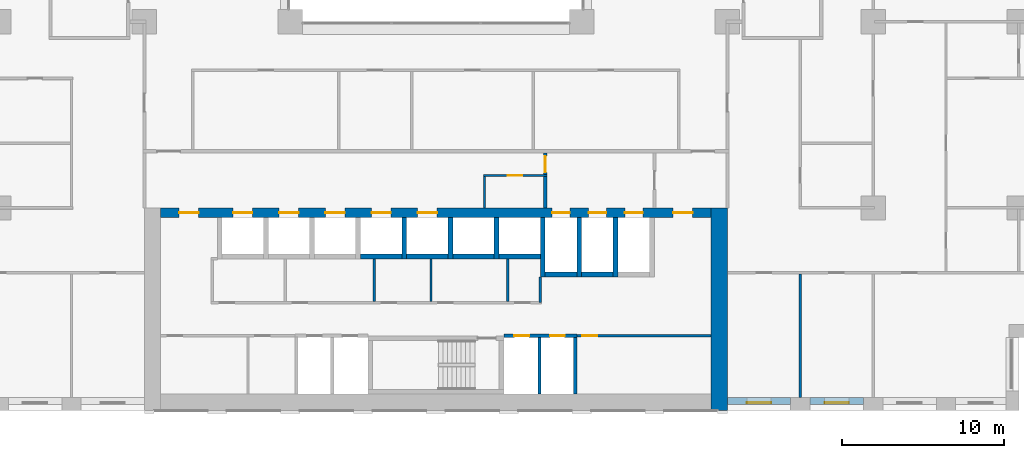
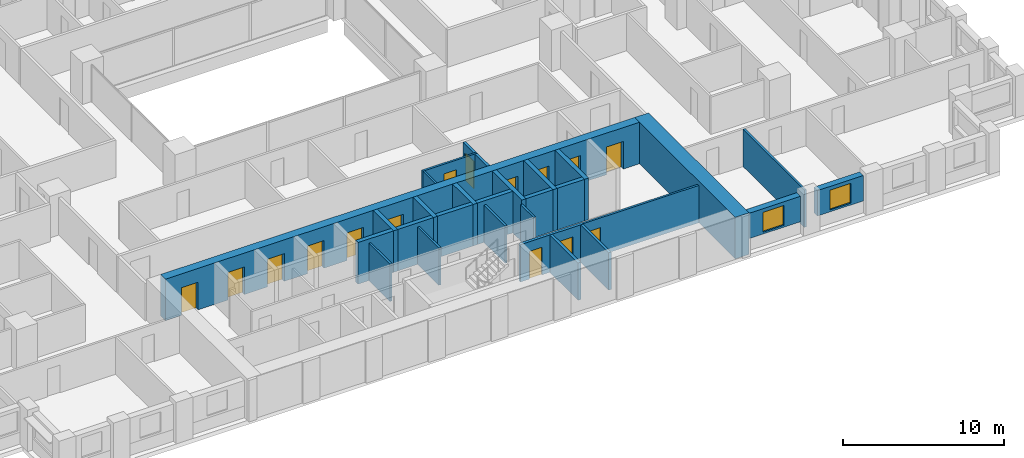
# One storey, part 11 of 20: 29 walls, 15 doors, 2 windows, 17 openings.
"""IFC4 building model written with IfcOpenShell, lengths in metres."""

from ifc_helpers import new_model, si_unit, direction, frame, frame_2d, origin, place, context, subcontext, project, spatial, rectangle, extrude, material, layer, layer_set, type_object, element, fill, save


model = new_model("IFC4")

# Units and contexts
model_context = context("Model", 3, precision=1e-05, world=origin(), true_north=direction((0.0, 1.0)))
body_context = subcontext(model_context, "Body", "Model", "MODEL_VIEW")
ifc_project = project(units=[si_unit("LENGTHUNIT", "METRE"), si_unit("AREAUNIT", "SQUARE_METRE"), si_unit("VOLUMEUNIT", "CUBIC_METRE"), si_unit("PLANEANGLEUNIT", "RADIAN"), si_unit("MASSUNIT", "GRAM", prefix="KILO")], contexts=[model_context])

# Site, building, storey
site_placement = place(None, origin())
site = spatial("IfcSite", under=ifc_project, at=site_placement, CompositionType="ELEMENT")
building_placement = place(site_placement, origin())
building = spatial("IfcBuilding", under=site, at=building_placement, Name="Brigalow Station Residences", CompositionType="ELEMENT")
storey_placement = place(building_placement, frame((0.0, 0.0, 66.75)))
storey = spatial("IfcBuildingStorey", under=building, at=storey_placement, Name="L19", CompositionType="ELEMENT", Elevation=66.75)

# Wall, opening, window
ifc_material_1 = material(Name="Clay brick masonry", Category="masonry")
ifc_layer_1 = layer(ifc_material_1, 0.449951171875)
ifc_layer_set_1 = layer_set([ifc_layer_1], Name="BRICK INFILL WALL 450")
wall_type_1 = type_object("IfcWallType", Name="BRICK INFILL WALL 450", PredefinedType="SOLIDWALL", material=ifc_layer_set_1)
wall_1_placement = place(storey_placement, frame((54.0, 0.574951171875, 0.89990234375), z_axis=(0.0, 0.0, 1.0), x_axis=(1.0, 0.0, 0.0)))
wall_1 = element("IfcWall", 1, at=wall_1_placement, inside=storey, type_object=wall_type_1, Name="L19/ewall/W-L19-5", PredefinedType="SOLIDWALL", context=body_context, shape_type="SweptSolid", body=[
    extrude(rectangle(XDim=3.89990234375, YDim=0.449951171875, at=frame_2d((1.949951171875, 0.0))), origin(), (0.0, 0.0, 1.0), 1.93017578125),
])
opening_1_placement = place(wall_1_placement, frame((1.199951171875, 0.0, 0.14990234375)))
opening_1 = element("IfcOpeningElement", 2, at=opening_1_placement, cuts=wall_1, Name="Opening WT-1", PredefinedType="OPENING", context=body_context, shape_type="SweptSolid", body=[
    extrude(rectangle(XDim=1.5, YDim=1.5, at=frame_2d((0.75, 0.75))), frame((0.0, 0.23486328125, 0.0), z_axis=(0.0, -1.0, 0.0), x_axis=(1.0, 0.0, 0.0)), (0.0, 0.0, 1.0), 0.469970703125),
])
ifc_material_2 = material(Name="Anodised aluminium frame with double glazing", Category="aluminium")
window_type = type_object("IfcWindowType", Name="WINDOW 1500x1500", PartitioningType="SINGLE_PANEL", PredefinedType="WINDOW", material=ifc_material_2)
window_1_placement = place(opening_1_placement, origin())
window_1 = element("IfcWindow", 3, at=window_1_placement, inside=storey, type_object=window_type, Name="L19/window/W-L19-5", OverallHeight=1.5, OverallWidth=1.5, PartitioningType="SINGLE_PANEL", PredefinedType="WINDOW", context=body_context, shape_type="SweptSolid", body=[
    extrude(rectangle(XDim=1.5, YDim=1.5, at=frame_2d((0.75, 0.75))), frame((0.0, -0.06494140625, 0.0), z_axis=(0.0, -1.0, 0.0), x_axis=(1.0, 0.0, 0.0)), (0.0, 0.0, 1.0), 0.06005859375),
])
fill(opening_1, window_1)

wall_2_placement = place(storey_placement, frame((59.10009765625, 0.574951171875, 0.89990234375), z_axis=(0.0, 0.0, 1.0), x_axis=(1.0, 0.0, 0.0)))
wall_2 = element("IfcWall", 4, at=wall_2_placement, inside=storey, type_object=wall_type_1, Name="L19/ewall/W-L19-6", PredefinedType="SOLIDWALL", context=body_context, shape_type="SweptSolid", body=[
    extrude(rectangle(XDim=3.2998046875, YDim=0.449951171875, at=frame_2d((1.64990234375, 0.0))), origin(), (0.0, 0.0, 1.0), 1.93017578125),
])
opening_2_placement = place(wall_2_placement, frame((0.89990234375, 0.0, 0.14990234375)))
opening_2 = element("IfcOpeningElement", 5, at=opening_2_placement, cuts=wall_2, Name="Opening WT-1", PredefinedType="OPENING", context=body_context, shape_type="SweptSolid", body=[
    extrude(rectangle(XDim=1.5, YDim=1.5, at=frame_2d((0.75, 0.75))), frame((0.0, 0.23486328125, 0.0), z_axis=(0.0, -1.0, 0.0), x_axis=(1.0, 0.0, 0.0)), (0.0, 0.0, 1.0), 0.469970703125),
])
window_2_placement = place(opening_2_placement, origin())
window_2 = element("IfcWindow", 6, at=window_2_placement, inside=storey, type_object=window_type, Name="L19/window/W-L19-6", OverallHeight=1.5, OverallWidth=1.5, PartitioningType="SINGLE_PANEL", PredefinedType="WINDOW", context=body_context, shape_type="SweptSolid", body=[
    extrude(rectangle(XDim=1.5, YDim=1.5, at=frame_2d((0.75, 0.75))), frame((0.0, -0.06494140625, 0.0), z_axis=(0.0, -1.0, 0.0), x_axis=(1.0, 0.0, 0.0)), (0.0, 0.0, 1.0), 0.06005859375),
])
fill(opening_2, window_2)

# Walls
ifc_material_3 = material(Name="Concrete C80", Category="concrete")
ifc_layer_2 = layer(ifc_material_3, 1.0)
ifc_layer_set_2 = layer_set([ifc_layer_2], Name="CORE SHEAR WALL 1000 C80")
wall_type_2 = type_object("IfcWallType", Name="CORE SHEAR WALL 1000 C80", PredefinedType="SHEAR", material=ifc_layer_set_2)
wall_3_placement = place(storey_placement, frame((53.5, 0.0, 0.0), z_axis=(0.0, 0.0, 1.0), x_axis=(0.0, 1.0, 0.0)))
element("IfcWall", 7, at=wall_3_placement, inside=storey, type_object=wall_type_2, Name="CORE WALL OUT-E L19", PredefinedType="SHEAR", context=body_context, shape_type="SweptSolid", body=[
    extrude(rectangle(XDim=12.5, YDim=1.0, at=frame_2d((6.25, 0.0))), origin(), (0.0, 0.0, 1.0), 3.14990234375),
])
ifc_material_4 = material(Name="Concrete C80", Category="concrete")
ifc_layer_3 = layer(ifc_material_4, 0.300048828125)
ifc_layer_set_3 = layer_set([ifc_layer_3], Name="CORE SHEAR WALL 300 C80")
wall_type_3 = type_object("IfcWallType", Name="CORE SHEAR WALL 300 C80", PredefinedType="SHEAR", material=ifc_layer_set_3)
wall_4_placement = place(storey_placement, frame((31.35009765625, 9.5, 0.0), z_axis=(0.0, 0.0, 1.0), x_axis=(1.0, 0.0, 0.0)))
element("IfcWall", 8, at=wall_4_placement, inside=storey, type_object=wall_type_3, Name="CORE WALL SH-P4-S L19", PredefinedType="SHEAR", context=body_context, shape_type="SweptSolid", body=[
    extrude(rectangle(XDim=2.5498046875, YDim=0.300048828125, at=frame_2d((1.27490234375, 0.0))), origin(), (0.0, 0.0, 1.0), 3.14990234375),
])
wall_5_placement = place(storey_placement, frame((34.199951171875, 9.5, 0.0), z_axis=(0.0, 0.0, 1.0), x_axis=(1.0, 0.0, 0.0)))
element("IfcWall", 9, at=wall_5_placement, inside=storey, type_object=wall_type_3, Name="CORE WALL SH-P5-S L19", PredefinedType="SHEAR", context=body_context, shape_type="SweptSolid", body=[
    extrude(rectangle(XDim=2.550048828125, YDim=0.300048828125, at=frame_2d((1.27490234375, 0.0))), origin(), (0.0, 0.0, 1.0), 3.14990234375),
])
wall_6_placement = place(storey_placement, frame((34.050048828125, 9.35009765625, 0.0), z_axis=(0.0, 0.0, 1.0), x_axis=(0.0, 1.0, 0.0)))
element("IfcWall", 10, at=wall_6_placement, inside=storey, type_object=wall_type_3, Name="CORE WALL SH-P5-W L19", PredefinedType="SHEAR", context=body_context, shape_type="SweptSolid", body=[
    extrude(rectangle(XDim=2.5498046875, YDim=0.300048828125, at=frame_2d((1.27490234375, 0.0))), origin(), (0.0, 0.0, 1.0), 3.14990234375),
])
wall_7_placement = place(storey_placement, frame((37.050048828125, 9.5, 0.0), z_axis=(0.0, 0.0, 1.0), x_axis=(1.0, 0.0, 0.0)))
element("IfcWall", 11, at=wall_7_placement, inside=storey, type_object=wall_type_3, Name="CORE WALL SH-X1-S L19", PredefinedType="SHEAR", context=body_context, shape_type="SweptSolid", body=[
    extrude(rectangle(XDim=2.550048828125, YDim=0.300048828125, at=frame_2d((1.27490234375, 0.0))), origin(), (0.0, 0.0, 1.0), 3.14990234375),
])
wall_8_placement = place(storey_placement, frame((36.89990234375, 9.35009765625, 0.0), z_axis=(0.0, 0.0, 1.0), x_axis=(0.0, 1.0, 0.0)))
element("IfcWall", 12, at=wall_8_placement, inside=storey, type_object=wall_type_3, Name="CORE WALL SH-X1-W L19", PredefinedType="SHEAR", context=body_context, shape_type="SweptSolid", body=[
    extrude(rectangle(XDim=2.5498046875, YDim=0.300048828125, at=frame_2d((1.27490234375, 0.0))), origin(), (0.0, 0.0, 1.0), 3.14990234375),
])
wall_9_placement = place(storey_placement, frame((39.89990234375, 9.5, 0.0), z_axis=(0.0, 0.0, 1.0), x_axis=(1.0, 0.0, 0.0)))
element("IfcWall", 13, at=wall_9_placement, inside=storey, type_object=wall_type_3, Name="CORE WALL SH-X2-S L19", PredefinedType="SHEAR", context=body_context, shape_type="SweptSolid", body=[
    extrude(rectangle(XDim=2.550048828125, YDim=0.300048828125, at=frame_2d((1.27490234375, 0.0))), origin(), (0.0, 0.0, 1.0), 3.14990234375),
])
wall_10_placement = place(storey_placement, frame((39.75, 9.35009765625, 0.0), z_axis=(0.0, 0.0, 1.0), x_axis=(0.0, 1.0, 0.0)))
element("IfcWall", 14, at=wall_10_placement, inside=storey, type_object=wall_type_3, Name="CORE WALL SH-X2-W L19", PredefinedType="SHEAR", context=body_context, shape_type="SweptSolid", body=[
    extrude(rectangle(XDim=2.5498046875, YDim=0.300048828125, at=frame_2d((1.27490234375, 0.0))), origin(), (0.0, 0.0, 1.0), 3.14990234375),
])
wall_11_placement = place(storey_placement, frame((42.75, 8.39990234375, 0.0), z_axis=(0.0, 0.0, 1.0), x_axis=(1.0, 0.0, 0.0)))
element("IfcWall", 15, at=wall_11_placement, inside=storey, type_object=wall_type_3, Name="CORE WALL SH-FF1-S L19", PredefinedType="SHEAR", context=body_context, shape_type="SweptSolid", body=[
    extrude(rectangle(XDim=1.949951171875, YDim=0.300048828125, at=frame_2d((0.97509765625, 0.0))), origin(), (0.0, 0.0, 1.0), 3.14990234375),
])
wall_12_placement = place(storey_placement, frame((42.60009765625, 8.25, 0.0), z_axis=(0.0, 0.0, 1.0), x_axis=(0.0, 1.0, 0.0)))
element("IfcWall", 16, at=wall_12_placement, inside=storey, type_object=wall_type_3, Name="CORE WALL SH-FF1-W L19", PredefinedType="SHEAR", context=body_context, shape_type="SweptSolid", body=[
    extrude(rectangle(XDim=3.64990234375, YDim=0.300048828125, at=frame_2d((1.824951171875, 0.0))), origin(), (0.0, 0.0, 1.0), 3.14990234375),
])
wall_13_placement = place(storey_placement, frame((45.0, 8.39990234375, 0.0), z_axis=(0.0, 0.0, 1.0), x_axis=(1.0, 0.0, 0.0)))
element("IfcWall", 17, at=wall_13_placement, inside=storey, type_object=wall_type_3, Name="CORE WALL SH-FF2-S L19", PredefinedType="SHEAR", context=body_context, shape_type="SweptSolid", body=[
    extrude(rectangle(XDim=1.949951171875, YDim=0.300048828125, at=frame_2d((0.97509765625, 0.0))), origin(), (0.0, 0.0, 1.0), 3.14990234375),
])
for number, where, z_axis, x_axis, name in (
    (18, (44.85009765625, 8.25, 0.0), (0.0, 0.0, 1.0), (0.0, 1.0, 0.0), "CORE WALL SH-FF2-W L19"),
    (19, (47.10009765625, 8.25, 0.0), (0.0, 0.0, 1.0), (0.0, 1.0, 0.0), "CORE WALL SH-SL1-W L19"),
):
    element("IfcWall", number, at=place(storey_placement, frame(where, z_axis=z_axis, x_axis=x_axis)), inside=storey, type_object=wall_type_3, Name=name, PredefinedType="SHEAR", context=body_context, shape_type="SweptSolid", body=[
        extrude(rectangle(XDim=3.64990234375, YDim=0.300048828125, at=frame_2d((1.824951171875, 0.0))), origin(), (0.0, 0.0, 1.0), 3.14990234375),
    ])

# Wall, openings, doors
ifc_material_5 = material(Name="Concrete C80", Category="concrete")
ifc_layer_4 = layer(ifc_material_5, 0.60009765625)
ifc_layer_set_4 = layer_set([ifc_layer_4], Name="CORE SHEAR WALL 600 C80")
wall_type_4 = type_object("IfcWallType", Name="CORE SHEAR WALL 600 C80", PredefinedType="SHEAR", material=ifc_layer_set_4)
wall_14_placement = place(storey_placement, frame((19.0, 12.199951171875, 0.0), z_axis=(0.0, 0.0, 1.0), x_axis=(1.0, 0.0, 0.0)))
wall_14 = element("IfcWall", 20, at=wall_14_placement, inside=storey, type_object=wall_type_4, Name="CORE WALL OUT-N L19", PredefinedType="SHEAR", context=body_context, shape_type="SweptSolid", body=[
    extrude(rectangle(XDim=34.0, YDim=0.60009765625, at=frame_2d((17.0, 0.0))), origin(), (0.0, 0.0, 1.0), 3.14990234375),
])
opening_3_placement = place(wall_14_placement, frame((4.47509765625, 0.0, 0.0)))
opening_3 = element("IfcOpeningElement", 21, at=opening_3_placement, cuts=wall_14, Name="Opening LD-LA1", PredefinedType="OPENING", context=body_context, shape_type="SweptSolid", body=[
    extrude(rectangle(XDim=1.199951171875, YDim=2.10009765625, at=frame_2d((0.60009765625, 1.050048828125))), frame((0.0, 0.31005859375, 0.0), z_axis=(0.0, -1.0, 0.0), x_axis=(1.0, 0.0, 0.0)), (0.0, 0.0, 1.0), 0.6201171875),
])
opening_4_placement = place(wall_14_placement, frame((7.324951171875, 0.0, 0.0)))
opening_4 = element("IfcOpeningElement", 22, at=opening_4_placement, cuts=wall_14, Name="Opening LD-LA2", PredefinedType="OPENING", context=body_context, shape_type="SweptSolid", body=[
    extrude(rectangle(XDim=1.199951171875, YDim=2.10009765625, at=frame_2d((0.60009765625, 1.050048828125))), frame((0.0, 0.31005859375, 0.0), z_axis=(0.0, -1.0, 0.0), x_axis=(1.0, 0.0, 0.0)), (0.0, 0.0, 1.0), 0.6201171875),
])
opening_5_placement = place(wall_14_placement, frame((10.175048828125, 0.0, 0.0)))
opening_5 = element("IfcOpeningElement", 23, at=opening_5_placement, cuts=wall_14, Name="Opening LD-LA3", PredefinedType="OPENING", context=body_context, shape_type="SweptSolid", body=[
    extrude(rectangle(XDim=1.199951171875, YDim=2.10009765625, at=frame_2d((0.60009765625, 1.050048828125))), frame((0.0, 0.31005859375, 0.0), z_axis=(0.0, -1.0, 0.0), x_axis=(1.0, 0.0, 0.0)), (0.0, 0.0, 1.0), 0.6201171875),
])
opening_6_placement = place(wall_14_placement, frame((13.02490234375, 0.0, 0.0)))
opening_6 = element("IfcOpeningElement", 24, at=opening_6_placement, cuts=wall_14, Name="Opening LD-LA4", PredefinedType="OPENING", context=body_context, shape_type="SweptSolid", body=[
    extrude(rectangle(XDim=1.199951171875, YDim=2.10009765625, at=frame_2d((0.60009765625, 1.050048828125))), frame((0.0, 0.31005859375, 0.0), z_axis=(0.0, -1.0, 0.0), x_axis=(1.0, 0.0, 0.0)), (0.0, 0.0, 1.0), 0.6201171875),
])
opening_7_placement = place(wall_14_placement, frame((15.875, 0.0, 0.0)))
opening_7 = element("IfcOpeningElement", 25, at=opening_7_placement, cuts=wall_14, Name="Opening LD-LA5", PredefinedType="OPENING", context=body_context, shape_type="SweptSolid", body=[
    extrude(rectangle(XDim=1.199951171875, YDim=2.10009765625, at=frame_2d((0.60009765625, 1.050048828125))), frame((0.0, 0.31005859375, 0.0), z_axis=(0.0, -1.0, 0.0), x_axis=(1.0, 0.0, 0.0)), (0.0, 0.0, 1.0), 0.6201171875),
])
opening_8_placement = place(wall_14_placement, frame((24.175048828125, 0.0, 0.0)))
opening_8 = element("IfcOpeningElement", 26, at=opening_8_placement, cuts=wall_14, Name="Opening LD-LF1", PredefinedType="OPENING", context=body_context, shape_type="SweptSolid", body=[
    extrude(rectangle(XDim=1.10009765625, YDim=2.10009765625, at=frame_2d((0.550048828125, 1.050048828125))), frame((0.0, 0.31005859375, 0.0), z_axis=(0.0, -1.0, 0.0), x_axis=(1.0, 0.0, 0.0)), (0.0, 0.0, 1.0), 0.6201171875),
])
opening_9_placement = place(wall_14_placement, frame((26.425048828125, 0.0, 0.0)))
opening_9 = element("IfcOpeningElement", 27, at=opening_9_placement, cuts=wall_14, Name="Opening LD-LF2", PredefinedType="OPENING", context=body_context, shape_type="SweptSolid", body=[
    extrude(rectangle(XDim=1.10009765625, YDim=2.10009765625, at=frame_2d((0.550048828125, 1.050048828125))), frame((0.0, 0.31005859375, 0.0), z_axis=(0.0, -1.0, 0.0), x_axis=(1.0, 0.0, 0.0)), (0.0, 0.0, 1.0), 0.6201171875),
])
opening_10_placement = place(wall_14_placement, frame((28.675048828125, 0.0, 0.0)))
opening_10 = element("IfcOpeningElement", 28, at=opening_10_placement, cuts=wall_14, Name="Opening LD-LG1", PredefinedType="OPENING", context=body_context, shape_type="SweptSolid", body=[
    extrude(rectangle(XDim=1.10009765625, YDim=2.10009765625, at=frame_2d((0.550048828125, 1.050048828125))), frame((0.0, 0.31005859375, 0.0), z_axis=(0.0, -1.0, 0.0), x_axis=(1.0, 0.0, 0.0)), (0.0, 0.0, 1.0), 0.6201171875),
])
opening_11_placement = place(wall_14_placement, frame((1.14990234375, 0.0, 0.0)))
opening_11 = element("IfcOpeningElement", 29, at=opening_11_placement, cuts=wall_14, Name="Opening D-5011", PredefinedType="OPENING", context=body_context, shape_type="SweptSolid", body=[
    extrude(rectangle(XDim=1.199951171875, YDim=2.10009765625, at=frame_2d((0.60009765625, 1.050048828125))), frame((0.0, 0.31005859375, 0.0), z_axis=(0.0, -1.0, 0.0), x_axis=(1.0, 0.0, 0.0)), (0.0, 0.0, 1.0), 0.6201171875),
])
opening_12_placement = place(wall_14_placement, frame((31.64990234375, 0.0, 0.0)))
opening_12 = element("IfcOpeningElement", 30, at=opening_12_placement, cuts=wall_14, Name="Opening D-5012", PredefinedType="OPENING", context=body_context, shape_type="SweptSolid", body=[
    extrude(rectangle(XDim=1.199951171875, YDim=2.10009765625, at=frame_2d((0.60009765625, 1.050048828125))), frame((0.0, 0.31005859375, 0.0), z_axis=(0.0, -1.0, 0.0), x_axis=(1.0, 0.0, 0.0)), (0.0, 0.0, 1.0), 0.6201171875),
])
ifc_material_6 = material(Name="Steel fire door leaf in steel frame", Category="steel")
door_type_1 = type_object("IfcDoorType", Name="CORE CORRIDOR DOOR 1200 x 2100 FD60S", OperationType="SINGLE_SWING_LEFT", PredefinedType="DOOR", material=ifc_material_6)
door_1_placement = place(opening_11_placement, frame((1.199951171875, 0.0, 0.0), z_axis=(0.0, 0.0, 1.0), x_axis=(-1.0, 0.0, 0.0)))
door_1 = element("IfcDoor", 31, at=door_1_placement, inside=storey, type_object=door_type_1, Name="D-5011", OperationType="SINGLE_SWING_LEFT", OverallHeight=2.10009765625, OverallWidth=1.199951171875, PredefinedType="DOOR", context=body_context, shape_type="SweptSolid", body=[
    extrude(rectangle(XDim=1.199951171875, YDim=2.10009765625, at=frame_2d((0.60009765625, 1.050048828125))), frame((0.0, 0.02490234375, 0.0), z_axis=(0.0, -1.0, 0.0), x_axis=(1.0, 0.0, 0.0)), (0.0, 0.0, 1.0), 0.050048828125),
])
fill(opening_11, door_1)
door_2_placement = place(opening_12_placement, frame((1.199951171875, 0.0, 0.0), z_axis=(0.0, 0.0, 1.0), x_axis=(-1.0, 0.0, 0.0)))
door_2 = element("IfcDoor", 32, at=door_2_placement, inside=storey, type_object=door_type_1, Name="D-5012", OperationType="SINGLE_SWING_RIGHT", OverallHeight=2.10009765625, OverallWidth=1.199951171875, PredefinedType="DOOR", context=body_context, shape_type="SweptSolid", body=[
    extrude(rectangle(XDim=1.199951171875, YDim=2.10009765625, at=frame_2d((0.60009765625, 1.050048828125))), frame((0.0, 0.02490234375, 0.0), z_axis=(0.0, -1.0, 0.0), x_axis=(1.0, 0.0, 0.0)), (0.0, 0.0, 1.0), 0.050048828125),
])
fill(opening_12, door_2)
ifc_material_7 = material(Name="Stainless steel sliding door leaves", Category="steel")
door_type_2 = type_object("IfcDoorType", Name="LIFT LANDING DOOR 1100 x 2100", OperationType="DOUBLE_DOOR_SLIDING", PredefinedType="DOOR", material=ifc_material_7)
door_3_placement = place(opening_8_placement, origin())
door_3 = element("IfcDoor", 33, at=door_3_placement, inside=storey, type_object=door_type_2, Name="LANDING DOOR LF1", OperationType="DOUBLE_DOOR_SLIDING", OverallHeight=2.10009765625, OverallWidth=1.10009765625, PredefinedType="DOOR", context=body_context, shape_type="SweptSolid", body=[
    extrude(rectangle(XDim=1.10009765625, YDim=2.10009765625, at=frame_2d((0.550048828125, 1.050048828125))), frame((0.0, 0.02490234375, 0.0), z_axis=(0.0, -1.0, 0.0), x_axis=(1.0, 0.0, 0.0)), (0.0, 0.0, 1.0), 0.050048828125),
])
fill(opening_8, door_3)
door_4_placement = place(opening_9_placement, origin())
door_4 = element("IfcDoor", 34, at=door_4_placement, inside=storey, type_object=door_type_2, Name="LANDING DOOR LF2", OperationType="DOUBLE_DOOR_SLIDING", OverallHeight=2.10009765625, OverallWidth=1.10009765625, PredefinedType="DOOR", context=body_context, shape_type="SweptSolid", body=[
    extrude(rectangle(XDim=1.10009765625, YDim=2.10009765625, at=frame_2d((0.550048828125, 1.050048828125))), frame((0.0, 0.02490234375, 0.0), z_axis=(0.0, -1.0, 0.0), x_axis=(1.0, 0.0, 0.0)), (0.0, 0.0, 1.0), 0.050048828125),
])
fill(opening_9, door_4)
door_5_placement = place(opening_10_placement, origin())
door_5 = element("IfcDoor", 35, at=door_5_placement, inside=storey, type_object=door_type_2, Name="LANDING DOOR LG1", OperationType="DOUBLE_DOOR_SLIDING", OverallHeight=2.10009765625, OverallWidth=1.10009765625, PredefinedType="DOOR", context=body_context, shape_type="SweptSolid", body=[
    extrude(rectangle(XDim=1.10009765625, YDim=2.10009765625, at=frame_2d((0.550048828125, 1.050048828125))), frame((0.0, 0.02490234375, 0.0), z_axis=(0.0, -1.0, 0.0), x_axis=(1.0, 0.0, 0.0)), (0.0, 0.0, 1.0), 0.050048828125),
])
fill(opening_10, door_5)
ifc_material_8 = material(Name="Stainless steel sliding door leaves", Category="steel")
door_type_3 = type_object("IfcDoorType", Name="LIFT LANDING DOOR 1200 x 2100", OperationType="DOUBLE_DOOR_SLIDING", PredefinedType="DOOR", material=ifc_material_8)
door_6_placement = place(opening_3_placement, origin())
door_6 = element("IfcDoor", 36, at=door_6_placement, inside=storey, type_object=door_type_3, Name="LANDING DOOR LA1", OperationType="DOUBLE_DOOR_SLIDING", OverallHeight=2.10009765625, OverallWidth=1.199951171875, PredefinedType="DOOR", context=body_context, shape_type="SweptSolid", body=[
    extrude(rectangle(XDim=1.199951171875, YDim=2.10009765625, at=frame_2d((0.60009765625, 1.050048828125))), frame((0.0, 0.02490234375, 0.0), z_axis=(0.0, -1.0, 0.0), x_axis=(1.0, 0.0, 0.0)), (0.0, 0.0, 1.0), 0.050048828125),
])
fill(opening_3, door_6)
door_7_placement = place(opening_4_placement, origin())
door_7 = element("IfcDoor", 37, at=door_7_placement, inside=storey, type_object=door_type_3, Name="LANDING DOOR LA2", OperationType="DOUBLE_DOOR_SLIDING", OverallHeight=2.10009765625, OverallWidth=1.199951171875, PredefinedType="DOOR", context=body_context, shape_type="SweptSolid", body=[
    extrude(rectangle(XDim=1.199951171875, YDim=2.10009765625, at=frame_2d((0.60009765625, 1.050048828125))), frame((0.0, 0.02490234375, 0.0), z_axis=(0.0, -1.0, 0.0), x_axis=(1.0, 0.0, 0.0)), (0.0, 0.0, 1.0), 0.050048828125),
])
fill(opening_4, door_7)
door_8_placement = place(opening_5_placement, origin())
door_8 = element("IfcDoor", 38, at=door_8_placement, inside=storey, type_object=door_type_3, Name="LANDING DOOR LA3", OperationType="DOUBLE_DOOR_SLIDING", OverallHeight=2.10009765625, OverallWidth=1.199951171875, PredefinedType="DOOR", context=body_context, shape_type="SweptSolid", body=[
    extrude(rectangle(XDim=1.199951171875, YDim=2.10009765625, at=frame_2d((0.60009765625, 1.050048828125))), frame((0.0, 0.02490234375, 0.0), z_axis=(0.0, -1.0, 0.0), x_axis=(1.0, 0.0, 0.0)), (0.0, 0.0, 1.0), 0.050048828125),
])
fill(opening_5, door_8)
door_9_placement = place(opening_6_placement, origin())
door_9 = element("IfcDoor", 39, at=door_9_placement, inside=storey, type_object=door_type_3, Name="LANDING DOOR LA4", OperationType="DOUBLE_DOOR_SLIDING", OverallHeight=2.10009765625, OverallWidth=1.199951171875, PredefinedType="DOOR", context=body_context, shape_type="SweptSolid", body=[
    extrude(rectangle(XDim=1.199951171875, YDim=2.10009765625, at=frame_2d((0.60009765625, 1.050048828125))), frame((0.0, 0.02490234375, 0.0), z_axis=(0.0, -1.0, 0.0), x_axis=(1.0, 0.0, 0.0)), (0.0, 0.0, 1.0), 0.050048828125),
])
fill(opening_6, door_9)
door_10_placement = place(opening_7_placement, origin())
door_10 = element("IfcDoor", 40, at=door_10_placement, inside=storey, type_object=door_type_3, Name="LANDING DOOR LA5", OperationType="DOUBLE_DOOR_SLIDING", OverallHeight=2.10009765625, OverallWidth=1.199951171875, PredefinedType="DOOR", context=body_context, shape_type="SweptSolid", body=[
    extrude(rectangle(XDim=1.199951171875, YDim=2.10009765625, at=frame_2d((0.60009765625, 1.050048828125))), frame((0.0, 0.02490234375, 0.0), z_axis=(0.0, -1.0, 0.0), x_axis=(1.0, 0.0, 0.0)), (0.0, 0.0, 1.0), 0.050048828125),
])
fill(opening_7, door_10)

ifc_material_9 = material(Name="Concrete blockwork", Category="masonry")
ifc_layer_5 = layer(ifc_material_9, 0.199951171875)
ifc_layer_set_5 = layer_set([ifc_layer_5], Name="FIRE RATED CORE PARTITION 200")
wall_type_5 = type_object("IfcWallType", Name="FIRE RATED CORE PARTITION 200", PredefinedType="PARTITIONING", material=ifc_layer_set_5)
wall_15_placement = place(storey_placement, frame((40.199951171875, 4.60009765625, 0.0), z_axis=(0.0, 0.0, 1.0), x_axis=(1.0, 0.0, 0.0)))
wall_15 = element("IfcWall", 41, at=wall_15_placement, inside=storey, type_object=wall_type_5, Name="PW-5018", PredefinedType="PARTITIONING", context=body_context, shape_type="SweptSolid", body=[
    extrude(rectangle(XDim=4.5, YDim=0.199951171875, at=frame_2d((2.25, 0.0))), origin(), (0.0, 0.0, 1.0), 2.830078125),
])
opening_13_placement = place(wall_15_placement, frame((0.64990234375, 0.0, 0.0)))
opening_13 = element("IfcOpeningElement", 42, at=opening_13_placement, cuts=wall_15, Name="Opening D-5009", PredefinedType="OPENING", context=body_context, shape_type="SweptSolid", body=[
    extrude(rectangle(XDim=0.89990234375, YDim=2.10009765625, at=frame_2d((0.449951171875, 1.050048828125))), frame((0.0, 0.10986328125, 0.0), z_axis=(0.0, -1.0, 0.0), x_axis=(1.0, 0.0, 0.0)), (0.0, 0.0, 1.0), 0.219970703125),
])
opening_14_placement = place(wall_15_placement, frame((2.85009765625, 0.0, 0.0)))
opening_14 = element("IfcOpeningElement", 43, at=opening_14_placement, cuts=wall_15, Name="Opening D-5010", PredefinedType="OPENING", context=body_context, shape_type="SweptSolid", body=[
    extrude(rectangle(XDim=0.89990234375, YDim=2.10009765625, at=frame_2d((0.449951171875, 1.050048828125))), frame((0.0, 0.10986328125, 0.0), z_axis=(0.0, -1.0, 0.0), x_axis=(1.0, 0.0, 0.0)), (0.0, 0.0, 1.0), 0.219970703125),
])
ifc_material_10 = material(Name="Steel fire door leaf in steel frame", Category="steel")
door_type_4 = type_object("IfcDoorType", Name="RISER ACCESS DOOR 900 x 2100 FD120", OperationType="SINGLE_SWING_LEFT", PredefinedType="DOOR", material=ifc_material_10)
door_11_placement = place(opening_13_placement, frame((0.89990234375, 0.0, 0.0), z_axis=(0.0, 0.0, 1.0), x_axis=(-1.0, 0.0, 0.0)))
door_11 = element("IfcDoor", 44, at=door_11_placement, inside=storey, type_object=door_type_4, Name="D-5009", OperationType="SINGLE_SWING_LEFT", OverallHeight=2.10009765625, OverallWidth=0.89990234375, PredefinedType="DOOR", context=body_context, shape_type="SweptSolid", body=[
    extrude(rectangle(XDim=0.89990234375, YDim=2.10009765625, at=frame_2d((0.449951171875, 1.050048828125))), frame((0.0, 0.02490234375, 0.0), z_axis=(0.0, -1.0, 0.0), x_axis=(1.0, 0.0, 0.0)), (0.0, 0.0, 1.0), 0.050048828125),
])
fill(opening_13, door_11)
door_12_placement = place(opening_14_placement, frame((0.89990234375, 0.0, 0.0), z_axis=(0.0, 0.0, 1.0), x_axis=(-1.0, 0.0, 0.0)))
door_12 = element("IfcDoor", 45, at=door_12_placement, inside=storey, type_object=door_type_4, Name="D-5010", OperationType="SINGLE_SWING_LEFT", OverallHeight=2.10009765625, OverallWidth=0.89990234375, PredefinedType="DOOR", context=body_context, shape_type="SweptSolid", body=[
    extrude(rectangle(XDim=0.89990234375, YDim=2.10009765625, at=frame_2d((0.449951171875, 1.050048828125))), frame((0.0, 0.02490234375, 0.0), z_axis=(0.0, -1.0, 0.0), x_axis=(1.0, 0.0, 0.0)), (0.0, 0.0, 1.0), 0.050048828125),
])
fill(opening_14, door_12)

# Walls
for number, where, z_axis, x_axis, name in (
    (46, (42.39990234375, 1.0, 0.0), (0.0, 0.0, 1.0), (0.0, 1.0, 0.0), "PW-5007"),
    (47, (44.60009765625, 1.0, 0.0), (0.0, 0.0, 1.0), (0.0, 1.0, 0.0), "PW-5008"),
):
    element("IfcWall", number, at=place(storey_placement, frame(where, z_axis=z_axis, x_axis=x_axis)), inside=storey, type_object=wall_type_5, Name=name, PredefinedType="PARTITIONING", context=body_context, shape_type="SweptSolid", body=[
        extrude(rectangle(XDim=3.5, YDim=0.199951171875, at=frame_2d((1.75, 0.0))), origin(), (0.0, 0.0, 1.0), 2.830078125),
    ])
wall_16_placement = place(storey_placement, frame((42.75, 12.5, 0.0), z_axis=(0.0, 0.0, 1.0), x_axis=(0.0, 1.0, 0.0)))
element("IfcWall", 48, at=wall_16_placement, inside=storey, type_object=wall_type_5, Name="PW-5046", PredefinedType="PARTITIONING", context=body_context, shape_type="SweptSolid", body=[
    extrude(rectangle(XDim=1.925048828125, YDim=0.199951171875, at=frame_2d((0.96240234375, 0.0))), origin(), (0.0, 0.0, 1.0), 2.830078125),
])

# Wall, opening, door
wall_17_placement = place(storey_placement, frame((42.75, 14.574951171875, 0.0), z_axis=(0.0, 0.0, 1.0), x_axis=(0.0, 1.0, 0.0)))
wall_17 = element("IfcWall", 49, at=wall_17_placement, inside=storey, type_object=wall_type_5, Name="PW-5047", PredefinedType="PARTITIONING", context=body_context, shape_type="SweptSolid", body=[
    extrude(rectangle(XDim=1.324951171875, YDim=0.199951171875, at=frame_2d((0.66259765625, 0.0))), origin(), (0.0, 0.0, 1.0), 2.830078125),
])
opening_15_placement = place(wall_17_placement, frame((0.125, 0.0, 0.0)))
opening_15 = element("IfcOpeningElement", 50, at=opening_15_placement, cuts=wall_17, Name="Opening D-5013", PredefinedType="OPENING", context=body_context, shape_type="SweptSolid", body=[
    extrude(rectangle(XDim=1.0, YDim=2.10009765625, at=frame_2d((0.5, 1.050048828125))), frame((0.0, 0.10986328125, 0.0), z_axis=(0.0, -1.0, 0.0), x_axis=(1.0, 0.0, 0.0)), (0.0, 0.0, 1.0), 0.219970703125),
])
ifc_material_11 = material(Name="Steel fire door leaf in steel frame", Category="steel")
door_type_5 = type_object("IfcDoorType", Name="LOBBY DOOR 1000 x 2100 FD60S", OperationType="SINGLE_SWING_LEFT", PredefinedType="DOOR", material=ifc_material_11)
door_13_placement = place(opening_15_placement, origin())
door_13 = element("IfcDoor", 51, at=door_13_placement, inside=storey, type_object=door_type_5, Name="D-5013", OperationType="SINGLE_SWING_LEFT", OverallHeight=2.10009765625, OverallWidth=1.0, PredefinedType="DOOR", context=body_context, shape_type="SweptSolid", body=[
    extrude(rectangle(XDim=1.0, YDim=2.10009765625, at=frame_2d((0.5, 1.050048828125))), frame((0.0, 0.02490234375, 0.0), z_axis=(0.0, -1.0, 0.0), x_axis=(1.0, 0.0, 0.0)), (0.0, 0.0, 1.0), 0.050048828125),
])
fill(opening_15, door_13)

# Wall
ifc_material_12 = material(Name="Plasterboard on steel stud partition", Category="steel")
ifc_layer_6 = layer(ifc_material_12, 0.14990234375)
ifc_layer_set_6 = layer_set([ifc_layer_6], Name="FLAT PARTITION 150")
wall_type_6 = type_object("IfcWallType", Name="FLAT PARTITION 150", PredefinedType="PARTITIONING", material=ifc_layer_set_6)
wall_18_placement = place(storey_placement, frame((58.5, 0.800048828125, 0.0), z_axis=(0.0, 0.0, 1.0), x_axis=(0.0, 1.0, 0.0)))
element("IfcWall", 52, at=wall_18_placement, inside=storey, type_object=wall_type_6, Name="PW-1G79", PredefinedType="PARTITIONING", context=body_context, shape_type="SweptSolid", body=[
    extrude(rectangle(XDim=7.625, YDim=0.14990234375, at=frame_2d((3.8125, 0.0))), origin(), (0.0, 0.0, 1.0), 2.830078125),
])

# Wall, opening, door
ifc_material_13 = material(Name="Plasterboard on steel studs", Category="steel")
ifc_layer_7 = layer(ifc_material_13, 0.14990234375)
ifc_layer_set_7 = layer_set([ifc_layer_7], Name="SERVICE ROOM PARTITION 150")
wall_type_7 = type_object("IfcWallType", Name="SERVICE ROOM PARTITION 150", PredefinedType="PARTITIONING", material=ifc_layer_set_7)
wall_19_placement = place(storey_placement, frame((44.699951171875, 4.60009765625, 0.0), z_axis=(0.0, 0.0, 1.0), x_axis=(1.0, 0.0, 0.0)))
wall_19 = element("IfcWall", 53, at=wall_19_placement, inside=storey, type_object=wall_type_7, Name="PW-5020", PredefinedType="PARTITIONING", context=body_context, shape_type="SweptSolid", body=[
    extrude(rectangle(XDim=8.300048828125, YDim=0.14990234375, at=frame_2d((4.14990234375, 0.0))), origin(), (0.0, 0.0, 1.0), 2.830078125),
])
opening_16_placement = place(wall_19_placement, frame((0.35009765625, 0.0, 0.0)))
opening_16 = element("IfcOpeningElement", 54, at=opening_16_placement, cuts=wall_19, Name="Opening D-5026", PredefinedType="OPENING", context=body_context, shape_type="SweptSolid", body=[
    extrude(rectangle(XDim=0.89990234375, YDim=2.10009765625, at=frame_2d((0.449951171875, 1.050048828125))), frame((0.0, 0.0849609375, 0.0), z_axis=(0.0, -1.0, 0.0), x_axis=(1.0, 0.0, 0.0)), (0.0, 0.0, 1.0), 0.169921875),
])
ifc_material_14 = material(Name="Steel door leaf in steel frame", Category="steel")
door_type_6 = type_object("IfcDoorType", Name="SERVICE ROOM DOOR 900 x 2100 FD60", OperationType="SINGLE_SWING_LEFT", PredefinedType="DOOR", material=ifc_material_14)
door_14_placement = place(opening_16_placement, frame((0.89990234375, 0.0, 0.0), z_axis=(0.0, 0.0, 1.0), x_axis=(-1.0, 0.0, 0.0)))
door_14 = element("IfcDoor", 55, at=door_14_placement, inside=storey, type_object=door_type_6, Name="D-5026", OperationType="SINGLE_SWING_RIGHT", OverallHeight=2.10009765625, OverallWidth=0.89990234375, PredefinedType="DOOR", context=body_context, shape_type="SweptSolid", body=[
    extrude(rectangle(XDim=0.89990234375, YDim=2.10009765625, at=frame_2d((0.449951171875, 1.050048828125))), frame((0.0, 0.02490234375, 0.0), z_axis=(0.0, -1.0, 0.0), x_axis=(1.0, 0.0, 0.0)), (0.0, 0.0, 1.0), 0.050048828125),
])
fill(opening_16, door_14)

wall_20_placement = place(storey_placement, frame((38.925048828125, 14.5, 0.0), z_axis=(0.0, 0.0, 1.0), x_axis=(1.0, 0.0, 0.0)))
wall_20 = element("IfcWall", 56, at=wall_20_placement, inside=storey, type_object=wall_type_7, Name="PW-5129", PredefinedType="PARTITIONING", context=body_context, shape_type="SweptSolid", body=[
    extrude(rectangle(XDim=3.925048828125, YDim=0.14990234375, at=frame_2d((1.96240234375, 0.0))), origin(), (0.0, 0.0, 1.0), 2.830078125),
])
opening_17_placement = place(wall_20_placement, frame((1.5, 0.0, 0.0)))
opening_17 = element("IfcOpeningElement", 57, at=opening_17_placement, cuts=wall_20, Name="Opening D-5076", PredefinedType="OPENING", context=body_context, shape_type="SweptSolid", body=[
    extrude(rectangle(XDim=0.89990234375, YDim=2.10009765625, at=frame_2d((0.449951171875, 1.050048828125))), frame((0.0, 0.0849609375, 0.0), z_axis=(0.0, -1.0, 0.0), x_axis=(1.0, 0.0, 0.0)), (0.0, 0.0, 1.0), 0.169921875),
])
door_15_placement = place(opening_17_placement, frame((0.89990234375, 0.0, 0.0), z_axis=(0.0, 0.0, 1.0), x_axis=(-1.0, 0.0, 0.0)))
door_15 = element("IfcDoor", 58, at=door_15_placement, inside=storey, type_object=door_type_6, Name="D-5076", OperationType="SINGLE_SWING_LEFT", OverallHeight=2.10009765625, OverallWidth=0.89990234375, PredefinedType="DOOR", context=body_context, shape_type="SweptSolid", body=[
    extrude(rectangle(XDim=0.89990234375, YDim=2.10009765625, at=frame_2d((0.449951171875, 1.050048828125))), frame((0.0, 0.02490234375, 0.0), z_axis=(0.0, -1.0, 0.0), x_axis=(1.0, 0.0, 0.0)), (0.0, 0.0, 1.0), 0.050048828125),
])
fill(opening_17, door_15)

# Walls
wall_21_placement = place(storey_placement, frame((42.449951171875, 6.64990234375, 0.0), z_axis=(0.0, 0.0, 1.0), x_axis=(0.0, 1.0, 0.0)))
element("IfcWall", 59, at=wall_21_placement, inside=storey, type_object=wall_type_7, Name="PW-5029", PredefinedType="PARTITIONING", context=body_context, shape_type="SweptSolid", body=[
    extrude(rectangle(XDim=1.60009765625, YDim=0.14990234375, at=frame_2d((0.800048828125, 0.0))), origin(), (0.0, 0.0, 1.0), 2.830078125),
])
for number, where, z_axis, x_axis, name in (
    (60, (32.199951171875, 6.72509765625, 0.0), (0.0, 0.0, 1.0), (0.0, 1.0, 0.0), "PW-5042"),
    (61, (35.699951171875, 6.72509765625, 0.0), (0.0, 0.0, 1.0), (0.0, 1.0, 0.0), "PW-5043"),
    (62, (40.449951171875, 6.72509765625, 0.0), (0.0, 0.0, 1.0), (0.0, 1.0, 0.0), "PW-5044"),
):
    element("IfcWall", number, at=place(storey_placement, frame(where, z_axis=z_axis, x_axis=x_axis)), inside=storey, type_object=wall_type_7, Name=name, PredefinedType="PARTITIONING", context=body_context, shape_type="SweptSolid", body=[
        extrude(rectangle(XDim=2.625, YDim=0.14990234375, at=frame_2d((1.3125, 0.0))), origin(), (0.0, 0.0, 1.0), 2.830078125),
    ])
wall_22_placement = place(storey_placement, frame((39.0, 12.5, 0.0), z_axis=(0.0, 0.0, 1.0), x_axis=(0.0, 1.0, 0.0)))
element("IfcWall", 63, at=wall_22_placement, inside=storey, type_object=wall_type_7, Name="PW-5136", PredefinedType="PARTITIONING", context=body_context, shape_type="SweptSolid", body=[
    extrude(rectangle(XDim=1.925048828125, YDim=0.14990234375, at=frame_2d((0.96240234375, 0.0))), origin(), (0.0, 0.0, 1.0), 2.830078125),
])

save(model, "model.ifc")
